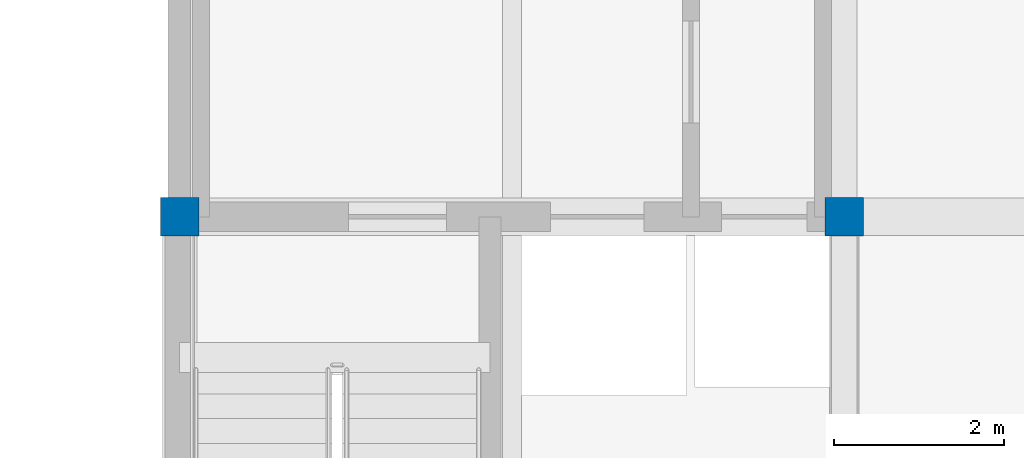
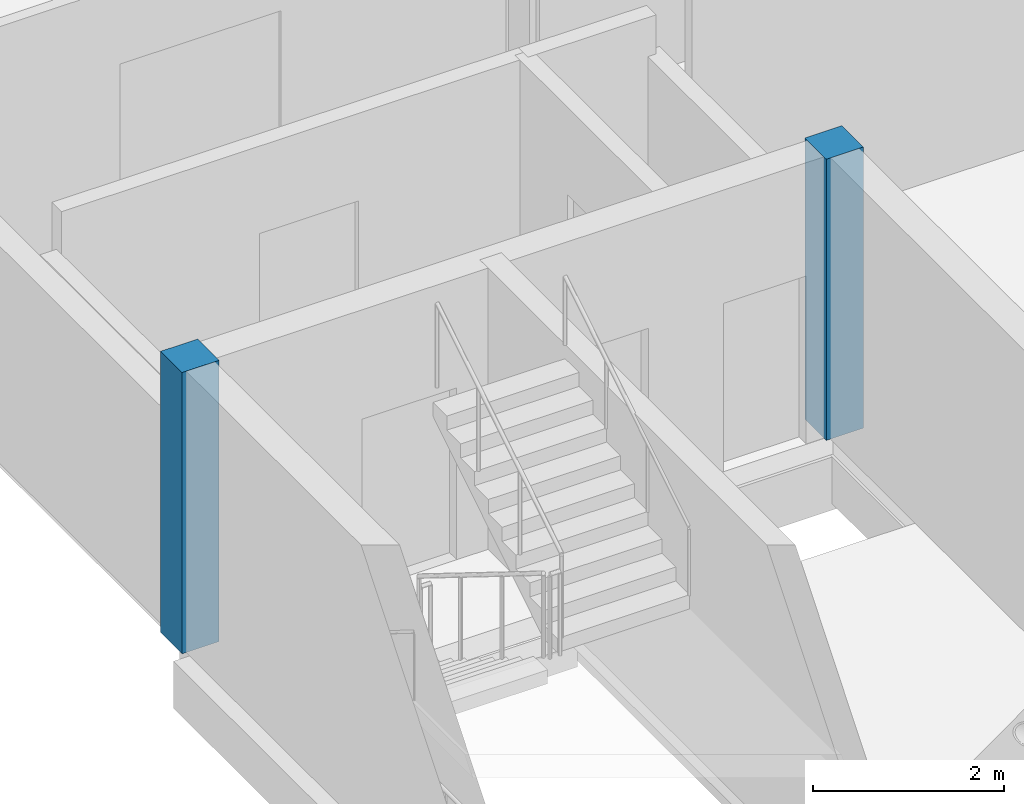
# One storey, part 2 of 34: 2 columns.
"""IFC4 building model written with IfcOpenShell, lengths in metres."""

from ifc_helpers import new_model, si_unit, direction, frame, origin, origin_2d, place, context, subcontext, project, spatial, rectangle, extrude, material, material_profile, profile_set, type_object, element, save


model = new_model("IFC4")

# Units and contexts
model_context = context("Model", 3, precision=1e-05, world=origin(), true_north=direction((0.0, 1.0)))
body_context = subcontext(model_context, "Body", "Model", "MODEL_VIEW")
ifc_project = project(units=[si_unit("LENGTHUNIT", "METRE"), si_unit("AREAUNIT", "SQUARE_METRE"), si_unit("VOLUMEUNIT", "CUBIC_METRE"), si_unit("PLANEANGLEUNIT", "RADIAN"), si_unit("MASSUNIT", "GRAM", prefix="KILO")], contexts=[model_context])

# Site, building, storey
site_placement = place(None, origin())
site = spatial("IfcSite", under=ifc_project, at=site_placement, CompositionType="ELEMENT")
building_placement = place(site_placement, origin())
building = spatial("IfcBuilding", under=site, at=building_placement, Name="Vharandega Faculty of Natural Sciences", CompositionType="ELEMENT")
storey_placement = place(building_placement, frame((0.0, 0.0, 21.60009765625)))
storey = spatial("IfcBuildingStorey", under=building, at=storey_placement, Name="L05", CompositionType="ELEMENT", Elevation=21.60009765625)

# Columns
ifc_material = material(Name="Glulam GL32h", Category="wood")
ifc_material_profile = material_profile(ifc_material, rectangle(XDim=0.449951171875, YDim=0.449951171875, at=origin_2d()), Name="GL32h 450x450")
ifc_profile_set = profile_set([ifc_material_profile], Name="Glulam GL32h")
column_type = type_object("IfcColumnType", Name="Glulam Column 450x450", PredefinedType="COLUMN", material=ifc_profile_set)
for number, where, z_axis, x_axis, name in (
    (1, (114.800048828125, 72.39990234375, 0.0), (0.0, 0.0, 1.0), (1.0, 0.0, 0.0), "Column 15/K L05"),
    (2, (122.60009765625, 72.39990234375, 0.0), (0.0, 0.0, 1.0), (1.0, 0.0, 0.0), "Column 16/K L05"),
):
    element("IfcColumn", number, at=place(storey_placement, frame(where, z_axis=z_axis, x_axis=x_axis)), inside=storey, type_object=column_type, Name=name, PredefinedType="COLUMN", context=body_context, shape_type="SweptSolid", body=[
        extrude(rectangle(XDim=0.449951171875, YDim=0.449951171875, at=origin_2d()), origin(), (0.0, 0.0, 1.0), 3.599853515625),
    ])

save(model, "model.ifc")
